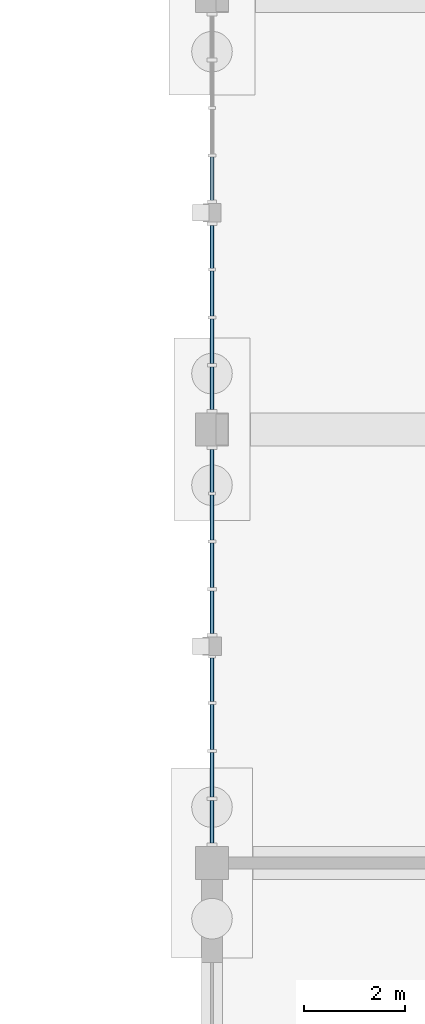
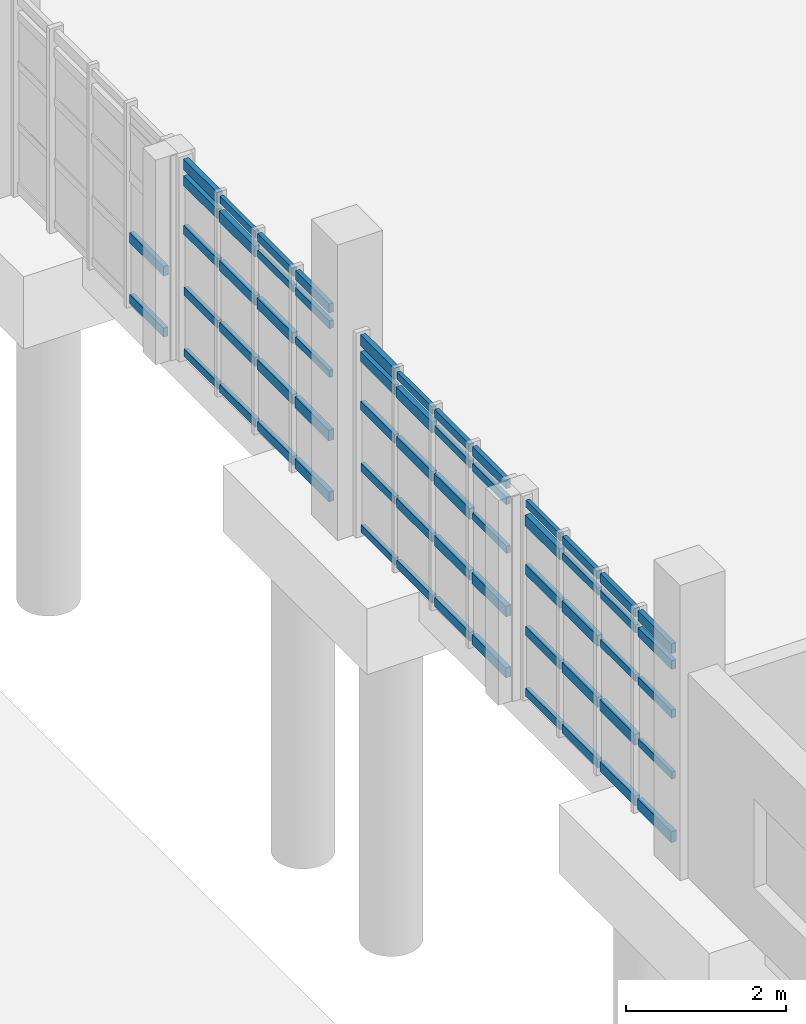
# One storey, part 72 of 125: 62 members, 4 elements without a shape of their own.
"""IFC4 building model written with IfcOpenShell, lengths in metres."""

from ifc_helpers import new_model, si_unit, direction, frame, origin, origin_2d, place, context, subcontext, project, spatial, rectangle, extrude, material, material_profile, profile_set, type_object, element, aggregate, save


model = new_model("IFC4")

# Units and contexts
model_context = context("Model", 3, precision=1e-05, world=origin(), true_north=direction((0.0, 1.0)))
body_context = subcontext(model_context, "Body", "Model", "MODEL_VIEW")
ifc_project = project(units=[si_unit("LENGTHUNIT", "METRE"), si_unit("AREAUNIT", "SQUARE_METRE"), si_unit("VOLUMEUNIT", "CUBIC_METRE"), si_unit("PLANEANGLEUNIT", "RADIAN"), si_unit("MASSUNIT", "GRAM", prefix="KILO")], contexts=[model_context])

# Site, building, storey
site_placement = place(None, origin())
site = spatial("IfcSite", under=ifc_project, at=site_placement, CompositionType="ELEMENT")
building_placement = place(site_placement, origin())
building = spatial("IfcBuilding", under=site, at=building_placement, Name="Serraforn Aerial Cableway Station", CompositionType="ELEMENT")
storey_placement = place(building_placement, frame((0.0, 0.0, 4.5)))
storey = spatial("IfcBuildingStorey", under=building, at=storey_placement, Name="L01", CompositionType="ELEMENT", Elevation=4.5)

# Curtain wall, members
ifc_material_1 = material(Name="Anodised bronze unitised curtain wall")
curtain_wall_type_1 = type_object("IfcCurtainWallType", Name="CW-SYS-11", PredefinedType="USERDEFINED", material=ifc_material_1)
curtain_wall_1_placement = place(storey_placement, origin())
curtain_wall_1 = element("IfcCurtainWall", 1, at=curtain_wall_1_placement, inside=storey, type_object=curtain_wall_type_1, Name="Unitised Curtain Wall CW-EG-L01-W5A", ObjectType="UNITISED CURTAIN WALL", PredefinedType="USERDEFINED")
ifc_material_2 = material(Name="Anodised bronze extruded aluminium", Category="aluminium")
ifc_material_profile_1 = material_profile(ifc_material_2, rectangle(XDim=0.054931640625, YDim=0.110107421875, at=origin_2d()), Name="CW TRANSOM 55x110")
ifc_profile_set_1 = profile_set([ifc_material_profile_1], Name="Anodised bronze extruded aluminium")
member_type_1 = type_object("IfcMemberType", Name="CW-TRN-1", PredefinedType="USERDEFINED", material=ifc_profile_set_1)
member_1_placement = place(storey_placement, frame((144.0, 87.9541015625, 0.124755859375), z_axis=(0.0, -1.0, 0.0), x_axis=(1.0, 0.0, 0.0)))
member_1 = element("IfcMember", 2, at=member_1_placement, type_object=member_type_1, Name="Curtain Wall Transom CW-EG-L01-W5A-T1-1", ObjectType="TRANSOM", PredefinedType="USERDEFINED", context=body_context, shape_type="SweptSolid", body=[
    extrude(rectangle(XDim=0.054931640625, YDim=0.110107421875, at=origin_2d()), origin(), (0.0, 0.0, 1.0), 0.844482421875),
])
member_2_placement = place(storey_placement, frame((144.0, 87.05859375, 2.9951171875), z_axis=(0.0, -1.0, 0.0), x_axis=(1.0, 0.0, 0.0)))
member_2 = element("IfcMember", 3, at=member_2_placement, type_object=member_type_1, Name="Curtain Wall Transom CW-EG-L01-W5A-T2-5", ObjectType="TRANSOM", PredefinedType="USERDEFINED", context=body_context, shape_type="SweptSolid", body=[
    extrude(rectangle(XDim=0.054931640625, YDim=0.110107421875, at=origin_2d()), origin(), (0.0, 0.0, 1.0), 0.8896484375),
])
member_3_placement = place(storey_placement, frame((144.0, 86.113037109375, 2.74560546875), z_axis=(0.0, -1.0, 0.0), x_axis=(1.0, 0.0, 0.0)))
member_3 = element("IfcMember", 4, at=member_3_placement, type_object=member_type_1, Name="Curtain Wall Transom CW-EG-L01-W5A-T3-4", ObjectType="TRANSOM", PredefinedType="USERDEFINED", context=body_context, shape_type="SweptSolid", body=[
    extrude(rectangle(XDim=0.054931640625, YDim=0.110107421875, at=origin_2d()), origin(), (0.0, 0.0, 1.0), 0.884521484375),
])
member_4_placement = place(storey_placement, frame((144.0, 85.16748046875, 1.996826171875), z_axis=(0.0, -1.0, 0.0), x_axis=(1.0, 0.0, 0.0)))
member_4 = element("IfcMember", 5, at=member_4_placement, type_object=member_type_1, Name="Curtain Wall Transom CW-EG-L01-W5A-T4-3", ObjectType="TRANSOM", PredefinedType="USERDEFINED", context=body_context, shape_type="SweptSolid", body=[
    extrude(rectangle(XDim=0.054931640625, YDim=0.110107421875, at=origin_2d()), origin(), (0.0, 0.0, 1.0), 0.844482421875),
])

curtain_wall_type_2 = type_object("IfcCurtainWallType", Name="CW-SYS-12", PredefinedType="USERDEFINED", material=ifc_material_1)
curtain_wall_2_placement = place(storey_placement, origin())
curtain_wall_2 = element("IfcCurtainWall", 6, at=curtain_wall_2_placement, inside=storey, type_object=curtain_wall_type_2, Name="Unitised Curtain Wall CW-EG-L01-W5B", ObjectType="UNITISED CURTAIN WALL", PredefinedType="USERDEFINED")
member_5_placement = place(storey_placement, frame((144.0, 83.842041015625, 2.9951171875), z_axis=(0.0, -1.0, 0.0), x_axis=(1.0, 0.0, 0.0)))
member_5 = element("IfcMember", 7, at=member_5_placement, type_object=member_type_1, Name="Curtain Wall Transom CW-EG-L01-W5B-T1-5", ObjectType="TRANSOM", PredefinedType="USERDEFINED", context=body_context, shape_type="SweptSolid", body=[
    extrude(rectangle(XDim=0.054931640625, YDim=0.110107421875, at=origin_2d()), origin(), (0.0, 0.0, 1.0), 0.862060546875),
])
member_6_placement = place(storey_placement, frame((144.0, 82.924072265625, 2.74560546875), z_axis=(0.0, -1.0, 0.0), x_axis=(1.0, 0.0, 0.0)))
member_6 = element("IfcMember", 8, at=member_6_placement, type_object=member_type_1, Name="Curtain Wall Transom CW-EG-L01-W5B-T2-4", ObjectType="TRANSOM", PredefinedType="USERDEFINED", context=body_context, shape_type="SweptSolid", body=[
    extrude(rectangle(XDim=0.054931640625, YDim=0.110107421875, at=origin_2d()), origin(), (0.0, 0.0, 1.0), 0.884521484375),
])
member_7_placement = place(storey_placement, frame((144.0, 81.978515625, 1.996826171875), z_axis=(0.0, -1.0, 0.0), x_axis=(1.0, 0.0, 0.0)))
member_7 = element("IfcMember", 9, at=member_7_placement, type_object=member_type_1, Name="Curtain Wall Transom CW-EG-L01-W5B-T3-3", ObjectType="TRANSOM", PredefinedType="USERDEFINED", context=body_context, shape_type="SweptSolid", body=[
    extrude(rectangle(XDim=0.054931640625, YDim=0.110107421875, at=origin_2d()), origin(), (0.0, 0.0, 1.0), 0.87939453125),
])
member_8_placement = place(storey_placement, frame((144.0, 81.032958984375, 1.060791015625), z_axis=(0.0, -1.0, 0.0), x_axis=(1.0, 0.0, 0.0)))
member_8 = element("IfcMember", 10, at=member_8_placement, type_object=member_type_1, Name="Curtain Wall Transom CW-EG-L01-W5B-T4-2", ObjectType="TRANSOM", PredefinedType="USERDEFINED", context=body_context, shape_type="SweptSolid", body=[
    extrude(rectangle(XDim=0.054931640625, YDim=0.110107421875, at=origin_2d()), origin(), (0.0, 0.0, 1.0), 0.8369140625),
])

curtain_wall_type_3 = type_object("IfcCurtainWallType", Name="CW-SYS-16", PredefinedType="USERDEFINED", material=ifc_material_1)
curtain_wall_3_placement = place(storey_placement, origin())
curtain_wall_3 = element("IfcCurtainWall", 11, at=curtain_wall_3_placement, inside=storey, type_object=curtain_wall_type_3, Name="Unitised Curtain Wall CW-EG-L01-W6B", ObjectType="UNITISED CURTAIN WALL", PredefinedType="USERDEFINED")
member_9_placement = place(storey_placement, frame((144.0, 92.3720703125, 0.124755859375), z_axis=(0.0, -1.0, 0.0), x_axis=(1.0, 0.0, 0.0)))
member_9 = element("IfcMember", 12, at=member_9_placement, type_object=member_type_1, Name="Curtain Wall Transom CW-EG-L01-W6B-T1-1", ObjectType="TRANSOM", PredefinedType="USERDEFINED", context=body_context, shape_type="SweptSolid", body=[
    extrude(rectangle(XDim=0.054931640625, YDim=0.110107421875, at=origin_2d()), origin(), (0.0, 0.0, 1.0), 0.844482421875),
])
member_10_placement = place(storey_placement, frame((144.0, 91.4765625, 2.9951171875), z_axis=(0.0, -1.0, 0.0), x_axis=(1.0, 0.0, 0.0)))
member_10 = element("IfcMember", 13, at=member_10_placement, type_object=member_type_1, Name="Curtain Wall Transom CW-EG-L01-W6B-T2-5", ObjectType="TRANSOM", PredefinedType="USERDEFINED", context=body_context, shape_type="SweptSolid", body=[
    extrude(rectangle(XDim=0.054931640625, YDim=0.110107421875, at=origin_2d()), origin(), (0.0, 0.0, 1.0), 0.8896484375),
])
member_11_placement = place(storey_placement, frame((144.0, 90.531005859375, 2.74560546875), z_axis=(0.0, -1.0, 0.0), x_axis=(1.0, 0.0, 0.0)))
member_11 = element("IfcMember", 14, at=member_11_placement, type_object=member_type_1, Name="Curtain Wall Transom CW-EG-L01-W6B-T3-4", ObjectType="TRANSOM", PredefinedType="USERDEFINED", context=body_context, shape_type="SweptSolid", body=[
    extrude(rectangle(XDim=0.054931640625, YDim=0.110107421875, at=origin_2d()), origin(), (0.0, 0.0, 1.0), 0.884521484375),
])
member_12_placement = place(storey_placement, frame((144.0, 89.58544921875, 1.996826171875), z_axis=(0.0, -1.0, 0.0), x_axis=(1.0, 0.0, 0.0)))
member_12 = element("IfcMember", 15, at=member_12_placement, type_object=member_type_1, Name="Curtain Wall Transom CW-EG-L01-W6B-T4-3", ObjectType="TRANSOM", PredefinedType="USERDEFINED", context=body_context, shape_type="SweptSolid", body=[
    extrude(rectangle(XDim=0.054931640625, YDim=0.110107421875, at=origin_2d()), origin(), (0.0, 0.0, 1.0), 0.844482421875),
])

# Member
ifc_material_profile_2 = material_profile(ifc_material_2, rectangle(XDim=0.06005859375, YDim=0.1201171875, at=origin_2d()), Name="CW TRANSOM 60x120")
ifc_profile_set_2 = profile_set([ifc_material_profile_2], Name="Anodised bronze extruded aluminium")
member_type_2 = type_object("IfcMemberType", Name="CW-TRN-2", PredefinedType="USERDEFINED", material=ifc_profile_set_2)
member_13_placement = place(storey_placement, frame((144.0, 87.9541015625, 1.060791015625), z_axis=(0.0, -1.0, 0.0), x_axis=(1.0, 0.0, 0.0)))
member_13 = element("IfcMember", 16, at=member_13_placement, type_object=member_type_2, Name="Curtain Wall Transom CW-EG-L01-W5A-T1-2", ObjectType="TRANSOM", PredefinedType="USERDEFINED", context=body_context, shape_type="SweptSolid", body=[
    extrude(rectangle(XDim=0.06005859375, YDim=0.1201171875, at=origin_2d()), origin(), (0.0, 0.0, 1.0), 0.844482421875),
])

member_14_placement = place(storey_placement, frame((144.0, 87.05859375, 0.124755859375), z_axis=(0.0, -1.0, 0.0), x_axis=(1.0, 0.0, 0.0)))
member_14 = element("IfcMember", 17, at=member_14_placement, type_object=member_type_2, Name="Curtain Wall Transom CW-EG-L01-W5A-T2-1", ObjectType="TRANSOM", PredefinedType="USERDEFINED", context=body_context, shape_type="SweptSolid", body=[
    extrude(rectangle(XDim=0.06005859375, YDim=0.1201171875, at=origin_2d()), origin(), (0.0, 0.0, 1.0), 0.8896484375),
])

member_15_placement = place(storey_placement, frame((144.0, 86.113037109375, 2.9951171875), z_axis=(0.0, -1.0, 0.0), x_axis=(1.0, 0.0, 0.0)))
member_15 = element("IfcMember", 18, at=member_15_placement, type_object=member_type_2, Name="Curtain Wall Transom CW-EG-L01-W5A-T3-5", ObjectType="TRANSOM", PredefinedType="USERDEFINED", context=body_context, shape_type="SweptSolid", body=[
    extrude(rectangle(XDim=0.06005859375, YDim=0.1201171875, at=origin_2d()), origin(), (0.0, 0.0, 1.0), 0.884521484375),
])

member_16_placement = place(storey_placement, frame((144.0, 85.16748046875, 2.74560546875), z_axis=(0.0, -1.0, 0.0), x_axis=(1.0, 0.0, 0.0)))
member_16 = element("IfcMember", 19, at=member_16_placement, type_object=member_type_2, Name="Curtain Wall Transom CW-EG-L01-W5A-T4-4", ObjectType="TRANSOM", PredefinedType="USERDEFINED", context=body_context, shape_type="SweptSolid", body=[
    extrude(rectangle(XDim=0.06005859375, YDim=0.1201171875, at=origin_2d()), origin(), (0.0, 0.0, 1.0), 0.844482421875),
])

member_17_placement = place(storey_placement, frame((144.0, 83.842041015625, 0.124755859375), z_axis=(0.0, -1.0, 0.0), x_axis=(1.0, 0.0, 0.0)))
member_17 = element("IfcMember", 20, at=member_17_placement, type_object=member_type_2, Name="Curtain Wall Transom CW-EG-L01-W5B-T1-1", ObjectType="TRANSOM", PredefinedType="USERDEFINED", context=body_context, shape_type="SweptSolid", body=[
    extrude(rectangle(XDim=0.06005859375, YDim=0.1201171875, at=origin_2d()), origin(), (0.0, 0.0, 1.0), 0.862060546875),
])

member_18_placement = place(storey_placement, frame((144.0, 82.924072265625, 2.9951171875), z_axis=(0.0, -1.0, 0.0), x_axis=(1.0, 0.0, 0.0)))
member_18 = element("IfcMember", 21, at=member_18_placement, type_object=member_type_2, Name="Curtain Wall Transom CW-EG-L01-W5B-T2-5", ObjectType="TRANSOM", PredefinedType="USERDEFINED", context=body_context, shape_type="SweptSolid", body=[
    extrude(rectangle(XDim=0.06005859375, YDim=0.1201171875, at=origin_2d()), origin(), (0.0, 0.0, 1.0), 0.884521484375),
])

member_19_placement = place(storey_placement, frame((144.0, 81.978515625, 2.74560546875), z_axis=(0.0, -1.0, 0.0), x_axis=(1.0, 0.0, 0.0)))
member_19 = element("IfcMember", 22, at=member_19_placement, type_object=member_type_2, Name="Curtain Wall Transom CW-EG-L01-W5B-T3-4", ObjectType="TRANSOM", PredefinedType="USERDEFINED", context=body_context, shape_type="SweptSolid", body=[
    extrude(rectangle(XDim=0.06005859375, YDim=0.1201171875, at=origin_2d()), origin(), (0.0, 0.0, 1.0), 0.87939453125),
])

member_20_placement = place(storey_placement, frame((144.0, 81.032958984375, 1.996826171875), z_axis=(0.0, -1.0, 0.0), x_axis=(1.0, 0.0, 0.0)))
member_20 = element("IfcMember", 23, at=member_20_placement, type_object=member_type_2, Name="Curtain Wall Transom CW-EG-L01-W5B-T4-3", ObjectType="TRANSOM", PredefinedType="USERDEFINED", context=body_context, shape_type="SweptSolid", body=[
    extrude(rectangle(XDim=0.06005859375, YDim=0.1201171875, at=origin_2d()), origin(), (0.0, 0.0, 1.0), 0.8369140625),
])

member_21_placement = place(storey_placement, frame((144.0, 92.3720703125, 1.060791015625), z_axis=(0.0, -1.0, 0.0), x_axis=(1.0, 0.0, 0.0)))
member_21 = element("IfcMember", 24, at=member_21_placement, type_object=member_type_2, Name="Curtain Wall Transom CW-EG-L01-W6B-T1-2", ObjectType="TRANSOM", PredefinedType="USERDEFINED", context=body_context, shape_type="SweptSolid", body=[
    extrude(rectangle(XDim=0.06005859375, YDim=0.1201171875, at=origin_2d()), origin(), (0.0, 0.0, 1.0), 0.844482421875),
])

member_22_placement = place(storey_placement, frame((144.0, 91.4765625, 0.124755859375), z_axis=(0.0, -1.0, 0.0), x_axis=(1.0, 0.0, 0.0)))
member_22 = element("IfcMember", 25, at=member_22_placement, type_object=member_type_2, Name="Curtain Wall Transom CW-EG-L01-W6B-T2-1", ObjectType="TRANSOM", PredefinedType="USERDEFINED", context=body_context, shape_type="SweptSolid", body=[
    extrude(rectangle(XDim=0.06005859375, YDim=0.1201171875, at=origin_2d()), origin(), (0.0, 0.0, 1.0), 0.8896484375),
])

member_23_placement = place(storey_placement, frame((144.0, 90.531005859375, 2.9951171875), z_axis=(0.0, -1.0, 0.0), x_axis=(1.0, 0.0, 0.0)))
member_23 = element("IfcMember", 26, at=member_23_placement, type_object=member_type_2, Name="Curtain Wall Transom CW-EG-L01-W6B-T3-5", ObjectType="TRANSOM", PredefinedType="USERDEFINED", context=body_context, shape_type="SweptSolid", body=[
    extrude(rectangle(XDim=0.06005859375, YDim=0.1201171875, at=origin_2d()), origin(), (0.0, 0.0, 1.0), 0.884521484375),
])

member_24_placement = place(storey_placement, frame((144.0, 89.58544921875, 2.74560546875), z_axis=(0.0, -1.0, 0.0), x_axis=(1.0, 0.0, 0.0)))
member_24 = element("IfcMember", 27, at=member_24_placement, type_object=member_type_2, Name="Curtain Wall Transom CW-EG-L01-W6B-T4-4", ObjectType="TRANSOM", PredefinedType="USERDEFINED", context=body_context, shape_type="SweptSolid", body=[
    extrude(rectangle(XDim=0.06005859375, YDim=0.1201171875, at=origin_2d()), origin(), (0.0, 0.0, 1.0), 0.844482421875),
])

ifc_material_profile_3 = material_profile(ifc_material_2, rectangle(XDim=0.06494140625, YDim=0.135009765625, at=origin_2d()), Name="CW TRANSOM 65x135")
ifc_profile_set_3 = profile_set([ifc_material_profile_3], Name="Anodised bronze extruded aluminium")
member_type_3 = type_object("IfcMemberType", Name="CW-TRN-3", PredefinedType="USERDEFINED", material=ifc_profile_set_3)
member_25_placement = place(storey_placement, frame((144.0, 87.9541015625, 1.996826171875), z_axis=(0.0, -1.0, 0.0), x_axis=(1.0, 0.0, 0.0)))
member_25 = element("IfcMember", 28, at=member_25_placement, type_object=member_type_3, Name="Curtain Wall Transom CW-EG-L01-W5A-T1-3", ObjectType="TRANSOM", PredefinedType="USERDEFINED", context=body_context, shape_type="SweptSolid", body=[
    extrude(rectangle(XDim=0.06494140625, YDim=0.135009765625, at=origin_2d()), origin(), (0.0, 0.0, 1.0), 0.844482421875),
])

member_26_placement = place(storey_placement, frame((144.0, 87.05859375, 1.060791015625), z_axis=(0.0, -1.0, 0.0), x_axis=(1.0, 0.0, 0.0)))
member_26 = element("IfcMember", 29, at=member_26_placement, type_object=member_type_3, Name="Curtain Wall Transom CW-EG-L01-W5A-T2-2", ObjectType="TRANSOM", PredefinedType="USERDEFINED", context=body_context, shape_type="SweptSolid", body=[
    extrude(rectangle(XDim=0.06494140625, YDim=0.135009765625, at=origin_2d()), origin(), (0.0, 0.0, 1.0), 0.8896484375),
])

member_27_placement = place(storey_placement, frame((144.0, 86.113037109375, 0.124755859375), z_axis=(0.0, -1.0, 0.0), x_axis=(1.0, 0.0, 0.0)))
member_27 = element("IfcMember", 30, at=member_27_placement, type_object=member_type_3, Name="Curtain Wall Transom CW-EG-L01-W5A-T3-1", ObjectType="TRANSOM", PredefinedType="USERDEFINED", context=body_context, shape_type="SweptSolid", body=[
    extrude(rectangle(XDim=0.06494140625, YDim=0.135009765625, at=origin_2d()), origin(), (0.0, 0.0, 1.0), 0.884521484375),
])

member_28_placement = place(storey_placement, frame((144.0, 85.16748046875, 2.9951171875), z_axis=(0.0, -1.0, 0.0), x_axis=(1.0, 0.0, 0.0)))
member_28 = element("IfcMember", 31, at=member_28_placement, type_object=member_type_3, Name="Curtain Wall Transom CW-EG-L01-W5A-T4-5", ObjectType="TRANSOM", PredefinedType="USERDEFINED", context=body_context, shape_type="SweptSolid", body=[
    extrude(rectangle(XDim=0.06494140625, YDim=0.135009765625, at=origin_2d()), origin(), (0.0, 0.0, 1.0), 0.844482421875),
])

member_29_placement = place(storey_placement, frame((144.0, 83.842041015625, 1.060791015625), z_axis=(0.0, -1.0, 0.0), x_axis=(1.0, 0.0, 0.0)))
member_29 = element("IfcMember", 32, at=member_29_placement, type_object=member_type_3, Name="Curtain Wall Transom CW-EG-L01-W5B-T1-2", ObjectType="TRANSOM", PredefinedType="USERDEFINED", context=body_context, shape_type="SweptSolid", body=[
    extrude(rectangle(XDim=0.06494140625, YDim=0.135009765625, at=origin_2d()), origin(), (0.0, 0.0, 1.0), 0.862060546875),
])

member_30_placement = place(storey_placement, frame((144.0, 82.924072265625, 0.124755859375), z_axis=(0.0, -1.0, 0.0), x_axis=(1.0, 0.0, 0.0)))
member_30 = element("IfcMember", 33, at=member_30_placement, type_object=member_type_3, Name="Curtain Wall Transom CW-EG-L01-W5B-T2-1", ObjectType="TRANSOM", PredefinedType="USERDEFINED", context=body_context, shape_type="SweptSolid", body=[
    extrude(rectangle(XDim=0.06494140625, YDim=0.135009765625, at=origin_2d()), origin(), (0.0, 0.0, 1.0), 0.884521484375),
])

member_31_placement = place(storey_placement, frame((144.0, 81.978515625, 2.9951171875), z_axis=(0.0, -1.0, 0.0), x_axis=(1.0, 0.0, 0.0)))
member_31 = element("IfcMember", 34, at=member_31_placement, type_object=member_type_3, Name="Curtain Wall Transom CW-EG-L01-W5B-T3-5", ObjectType="TRANSOM", PredefinedType="USERDEFINED", context=body_context, shape_type="SweptSolid", body=[
    extrude(rectangle(XDim=0.06494140625, YDim=0.135009765625, at=origin_2d()), origin(), (0.0, 0.0, 1.0), 0.87939453125),
])

member_32_placement = place(storey_placement, frame((144.0, 81.032958984375, 2.74560546875), z_axis=(0.0, -1.0, 0.0), x_axis=(1.0, 0.0, 0.0)))
member_32 = element("IfcMember", 35, at=member_32_placement, type_object=member_type_3, Name="Curtain Wall Transom CW-EG-L01-W5B-T4-4", ObjectType="TRANSOM", PredefinedType="USERDEFINED", context=body_context, shape_type="SweptSolid", body=[
    extrude(rectangle(XDim=0.06494140625, YDim=0.135009765625, at=origin_2d()), origin(), (0.0, 0.0, 1.0), 0.8369140625),
])

# Curtain wall, member
curtain_wall_type_4 = type_object("IfcCurtainWallType", Name="CW-SYS-15", PredefinedType="USERDEFINED", material=ifc_material_1)
curtain_wall_4_placement = place(storey_placement, origin())
curtain_wall_4 = element("IfcCurtainWall", 36, at=curtain_wall_4_placement, inside=storey, type_object=curtain_wall_type_4, Name="Unitised Curtain Wall CW-EG-L01-W6A", ObjectType="UNITISED CURTAIN WALL", PredefinedType="USERDEFINED")
member_33_placement = place(storey_placement, frame((144.0, 93.719970703125, 0.124755859375), z_axis=(0.0, -1.0, 0.0), x_axis=(1.0, 0.0, 0.0)))
member_33 = element("IfcMember", 37, at=member_33_placement, type_object=member_type_3, Name="Curtain Wall Transom CW-EG-L01-W6A-T4-1", ObjectType="TRANSOM", PredefinedType="USERDEFINED", context=body_context, shape_type="SweptSolid", body=[
    extrude(rectangle(XDim=0.06494140625, YDim=0.135009765625, at=origin_2d()), origin(), (0.0, 0.0, 1.0), 0.85205078125),
])

# Member
member_34_placement = place(storey_placement, frame((144.0, 92.3720703125, 1.996826171875), z_axis=(0.0, -1.0, 0.0), x_axis=(1.0, 0.0, 0.0)))
member_34 = element("IfcMember", 38, at=member_34_placement, type_object=member_type_3, Name="Curtain Wall Transom CW-EG-L01-W6B-T1-3", ObjectType="TRANSOM", PredefinedType="USERDEFINED", context=body_context, shape_type="SweptSolid", body=[
    extrude(rectangle(XDim=0.06494140625, YDim=0.135009765625, at=origin_2d()), origin(), (0.0, 0.0, 1.0), 0.844482421875),
])

member_35_placement = place(storey_placement, frame((144.0, 91.4765625, 1.060791015625), z_axis=(0.0, -1.0, 0.0), x_axis=(1.0, 0.0, 0.0)))
member_35 = element("IfcMember", 39, at=member_35_placement, type_object=member_type_3, Name="Curtain Wall Transom CW-EG-L01-W6B-T2-2", ObjectType="TRANSOM", PredefinedType="USERDEFINED", context=body_context, shape_type="SweptSolid", body=[
    extrude(rectangle(XDim=0.06494140625, YDim=0.135009765625, at=origin_2d()), origin(), (0.0, 0.0, 1.0), 0.8896484375),
])

member_36_placement = place(storey_placement, frame((144.0, 90.531005859375, 0.124755859375), z_axis=(0.0, -1.0, 0.0), x_axis=(1.0, 0.0, 0.0)))
member_36 = element("IfcMember", 40, at=member_36_placement, type_object=member_type_3, Name="Curtain Wall Transom CW-EG-L01-W6B-T3-1", ObjectType="TRANSOM", PredefinedType="USERDEFINED", context=body_context, shape_type="SweptSolid", body=[
    extrude(rectangle(XDim=0.06494140625, YDim=0.135009765625, at=origin_2d()), origin(), (0.0, 0.0, 1.0), 0.884521484375),
])

member_37_placement = place(storey_placement, frame((144.0, 89.58544921875, 2.9951171875), z_axis=(0.0, -1.0, 0.0), x_axis=(1.0, 0.0, 0.0)))
member_37 = element("IfcMember", 41, at=member_37_placement, type_object=member_type_3, Name="Curtain Wall Transom CW-EG-L01-W6B-T4-5", ObjectType="TRANSOM", PredefinedType="USERDEFINED", context=body_context, shape_type="SweptSolid", body=[
    extrude(rectangle(XDim=0.06494140625, YDim=0.135009765625, at=origin_2d()), origin(), (0.0, 0.0, 1.0), 0.844482421875),
])

ifc_material_profile_4 = material_profile(ifc_material_2, rectangle(XDim=0.070068359375, YDim=0.14990234375, at=origin_2d()), Name="CW TRANSOM 70x150")
ifc_profile_set_4 = profile_set([ifc_material_profile_4], Name="Anodised bronze extruded aluminium")
member_type_4 = type_object("IfcMemberType", Name="CW-TRN-4", PredefinedType="USERDEFINED", material=ifc_profile_set_4)
member_38_placement = place(storey_placement, frame((144.0, 87.9541015625, 2.74560546875), z_axis=(0.0, -1.0, 0.0), x_axis=(1.0, 0.0, 0.0)))
member_38 = element("IfcMember", 42, at=member_38_placement, type_object=member_type_4, Name="Curtain Wall Transom CW-EG-L01-W5A-T1-4", ObjectType="TRANSOM", PredefinedType="USERDEFINED", context=body_context, shape_type="SweptSolid", body=[
    extrude(rectangle(XDim=0.070068359375, YDim=0.14990234375, at=origin_2d()), origin(), (0.0, 0.0, 1.0), 0.844482421875),
])

member_39_placement = place(storey_placement, frame((144.0, 87.05859375, 1.996826171875), z_axis=(0.0, -1.0, 0.0), x_axis=(1.0, 0.0, 0.0)))
member_39 = element("IfcMember", 43, at=member_39_placement, type_object=member_type_4, Name="Curtain Wall Transom CW-EG-L01-W5A-T2-3", ObjectType="TRANSOM", PredefinedType="USERDEFINED", context=body_context, shape_type="SweptSolid", body=[
    extrude(rectangle(XDim=0.070068359375, YDim=0.14990234375, at=origin_2d()), origin(), (0.0, 0.0, 1.0), 0.8896484375),
])

member_40_placement = place(storey_placement, frame((144.0, 86.113037109375, 1.060791015625), z_axis=(0.0, -1.0, 0.0), x_axis=(1.0, 0.0, 0.0)))
member_40 = element("IfcMember", 44, at=member_40_placement, type_object=member_type_4, Name="Curtain Wall Transom CW-EG-L01-W5A-T3-2", ObjectType="TRANSOM", PredefinedType="USERDEFINED", context=body_context, shape_type="SweptSolid", body=[
    extrude(rectangle(XDim=0.070068359375, YDim=0.14990234375, at=origin_2d()), origin(), (0.0, 0.0, 1.0), 0.884521484375),
])

member_41_placement = place(storey_placement, frame((144.0, 85.16748046875, 0.124755859375), z_axis=(0.0, -1.0, 0.0), x_axis=(1.0, 0.0, 0.0)))
member_41 = element("IfcMember", 45, at=member_41_placement, type_object=member_type_4, Name="Curtain Wall Transom CW-EG-L01-W5A-T4-1", ObjectType="TRANSOM", PredefinedType="USERDEFINED", context=body_context, shape_type="SweptSolid", body=[
    extrude(rectangle(XDim=0.070068359375, YDim=0.14990234375, at=origin_2d()), origin(), (0.0, 0.0, 1.0), 0.844482421875),
])

member_42_placement = place(storey_placement, frame((144.0, 83.842041015625, 1.996826171875), z_axis=(0.0, -1.0, 0.0), x_axis=(1.0, 0.0, 0.0)))
member_42 = element("IfcMember", 46, at=member_42_placement, type_object=member_type_4, Name="Curtain Wall Transom CW-EG-L01-W5B-T1-3", ObjectType="TRANSOM", PredefinedType="USERDEFINED", context=body_context, shape_type="SweptSolid", body=[
    extrude(rectangle(XDim=0.070068359375, YDim=0.14990234375, at=origin_2d()), origin(), (0.0, 0.0, 1.0), 0.862060546875),
])

member_43_placement = place(storey_placement, frame((144.0, 82.924072265625, 1.060791015625), z_axis=(0.0, -1.0, 0.0), x_axis=(1.0, 0.0, 0.0)))
member_43 = element("IfcMember", 47, at=member_43_placement, type_object=member_type_4, Name="Curtain Wall Transom CW-EG-L01-W5B-T2-2", ObjectType="TRANSOM", PredefinedType="USERDEFINED", context=body_context, shape_type="SweptSolid", body=[
    extrude(rectangle(XDim=0.070068359375, YDim=0.14990234375, at=origin_2d()), origin(), (0.0, 0.0, 1.0), 0.884521484375),
])

member_44_placement = place(storey_placement, frame((144.0, 81.978515625, 0.124755859375), z_axis=(0.0, -1.0, 0.0), x_axis=(1.0, 0.0, 0.0)))
member_44 = element("IfcMember", 48, at=member_44_placement, type_object=member_type_4, Name="Curtain Wall Transom CW-EG-L01-W5B-T3-1", ObjectType="TRANSOM", PredefinedType="USERDEFINED", context=body_context, shape_type="SweptSolid", body=[
    extrude(rectangle(XDim=0.070068359375, YDim=0.14990234375, at=origin_2d()), origin(), (0.0, 0.0, 1.0), 0.87939453125),
])

member_45_placement = place(storey_placement, frame((144.0, 81.032958984375, 2.9951171875), z_axis=(0.0, -1.0, 0.0), x_axis=(1.0, 0.0, 0.0)))
member_45 = element("IfcMember", 49, at=member_45_placement, type_object=member_type_4, Name="Curtain Wall Transom CW-EG-L01-W5B-T4-5", ObjectType="TRANSOM", PredefinedType="USERDEFINED", context=body_context, shape_type="SweptSolid", body=[
    extrude(rectangle(XDim=0.070068359375, YDim=0.14990234375, at=origin_2d()), origin(), (0.0, 0.0, 1.0), 0.8369140625),
])

member_46_placement = place(storey_placement, frame((144.0, 93.719970703125, 1.060791015625), z_axis=(0.0, -1.0, 0.0), x_axis=(1.0, 0.0, 0.0)))
member_46 = element("IfcMember", 50, at=member_46_placement, type_object=member_type_4, Name="Curtain Wall Transom CW-EG-L01-W6A-T4-2", ObjectType="TRANSOM", PredefinedType="USERDEFINED", context=body_context, shape_type="SweptSolid", body=[
    extrude(rectangle(XDim=0.070068359375, YDim=0.14990234375, at=origin_2d()), origin(), (0.0, 0.0, 1.0), 0.85205078125),
])

aggregate(curtain_wall_4, [member_33, member_46])

member_47_placement = place(storey_placement, frame((144.0, 92.3720703125, 2.74560546875), z_axis=(0.0, -1.0, 0.0), x_axis=(1.0, 0.0, 0.0)))
member_47 = element("IfcMember", 51, at=member_47_placement, type_object=member_type_4, Name="Curtain Wall Transom CW-EG-L01-W6B-T1-4", ObjectType="TRANSOM", PredefinedType="USERDEFINED", context=body_context, shape_type="SweptSolid", body=[
    extrude(rectangle(XDim=0.070068359375, YDim=0.14990234375, at=origin_2d()), origin(), (0.0, 0.0, 1.0), 0.844482421875),
])

member_48_placement = place(storey_placement, frame((144.0, 91.4765625, 1.996826171875), z_axis=(0.0, -1.0, 0.0), x_axis=(1.0, 0.0, 0.0)))
member_48 = element("IfcMember", 52, at=member_48_placement, type_object=member_type_4, Name="Curtain Wall Transom CW-EG-L01-W6B-T2-3", ObjectType="TRANSOM", PredefinedType="USERDEFINED", context=body_context, shape_type="SweptSolid", body=[
    extrude(rectangle(XDim=0.070068359375, YDim=0.14990234375, at=origin_2d()), origin(), (0.0, 0.0, 1.0), 0.8896484375),
])

member_49_placement = place(storey_placement, frame((144.0, 90.531005859375, 1.060791015625), z_axis=(0.0, -1.0, 0.0), x_axis=(1.0, 0.0, 0.0)))
member_49 = element("IfcMember", 53, at=member_49_placement, type_object=member_type_4, Name="Curtain Wall Transom CW-EG-L01-W6B-T3-2", ObjectType="TRANSOM", PredefinedType="USERDEFINED", context=body_context, shape_type="SweptSolid", body=[
    extrude(rectangle(XDim=0.070068359375, YDim=0.14990234375, at=origin_2d()), origin(), (0.0, 0.0, 1.0), 0.884521484375),
])

member_50_placement = place(storey_placement, frame((144.0, 89.58544921875, 0.124755859375), z_axis=(0.0, -1.0, 0.0), x_axis=(1.0, 0.0, 0.0)))
member_50 = element("IfcMember", 54, at=member_50_placement, type_object=member_type_4, Name="Curtain Wall Transom CW-EG-L01-W6B-T4-1", ObjectType="TRANSOM", PredefinedType="USERDEFINED", context=body_context, shape_type="SweptSolid", body=[
    extrude(rectangle(XDim=0.070068359375, YDim=0.14990234375, at=origin_2d()), origin(), (0.0, 0.0, 1.0), 0.844482421875),
])

ifc_material_profile_5 = material_profile(ifc_material_2, rectangle(XDim=0.074951171875, YDim=0.1650390625, at=origin_2d()), Name="CW TRANSOM 75x165")
ifc_profile_set_5 = profile_set([ifc_material_profile_5], Name="Anodised bronze extruded aluminium")
member_type_5 = type_object("IfcMemberType", Name="CW-TRN-5", PredefinedType="USERDEFINED", material=ifc_profile_set_5)
member_51_placement = place(storey_placement, frame((144.0, 87.9541015625, 2.9951171875), z_axis=(0.0, -1.0, 0.0), x_axis=(1.0, 0.0, 0.0)))
member_51 = element("IfcMember", 55, at=member_51_placement, type_object=member_type_5, Name="Curtain Wall Transom CW-EG-L01-W5A-T1-5", ObjectType="TRANSOM", PredefinedType="USERDEFINED", context=body_context, shape_type="SweptSolid", body=[
    extrude(rectangle(XDim=0.074951171875, YDim=0.1650390625, at=origin_2d()), origin(), (0.0, 0.0, 1.0), 0.844482421875),
])

member_52_placement = place(storey_placement, frame((144.0, 87.05859375, 2.74560546875), z_axis=(0.0, -1.0, 0.0), x_axis=(1.0, 0.0, 0.0)))
member_52 = element("IfcMember", 56, at=member_52_placement, type_object=member_type_5, Name="Curtain Wall Transom CW-EG-L01-W5A-T2-4", ObjectType="TRANSOM", PredefinedType="USERDEFINED", context=body_context, shape_type="SweptSolid", body=[
    extrude(rectangle(XDim=0.074951171875, YDim=0.1650390625, at=origin_2d()), origin(), (0.0, 0.0, 1.0), 0.8896484375),
])

member_53_placement = place(storey_placement, frame((144.0, 86.113037109375, 1.996826171875), z_axis=(0.0, -1.0, 0.0), x_axis=(1.0, 0.0, 0.0)))
member_53 = element("IfcMember", 57, at=member_53_placement, type_object=member_type_5, Name="Curtain Wall Transom CW-EG-L01-W5A-T3-3", ObjectType="TRANSOM", PredefinedType="USERDEFINED", context=body_context, shape_type="SweptSolid", body=[
    extrude(rectangle(XDim=0.074951171875, YDim=0.1650390625, at=origin_2d()), origin(), (0.0, 0.0, 1.0), 0.884521484375),
])

member_54_placement = place(storey_placement, frame((144.0, 85.16748046875, 1.060791015625), z_axis=(0.0, -1.0, 0.0), x_axis=(1.0, 0.0, 0.0)))
member_54 = element("IfcMember", 58, at=member_54_placement, type_object=member_type_5, Name="Curtain Wall Transom CW-EG-L01-W5A-T4-2", ObjectType="TRANSOM", PredefinedType="USERDEFINED", context=body_context, shape_type="SweptSolid", body=[
    extrude(rectangle(XDim=0.074951171875, YDim=0.1650390625, at=origin_2d()), origin(), (0.0, 0.0, 1.0), 0.844482421875),
])

aggregate(curtain_wall_1, [member_1, member_13, member_25, member_38, member_51, member_14, member_26, member_39, member_52, member_2, member_27, member_40, member_53, member_3, member_15, member_41, member_54, member_4, member_16, member_28])

member_55_placement = place(storey_placement, frame((144.0, 83.842041015625, 2.74560546875), z_axis=(0.0, -1.0, 0.0), x_axis=(1.0, 0.0, 0.0)))
member_55 = element("IfcMember", 59, at=member_55_placement, type_object=member_type_5, Name="Curtain Wall Transom CW-EG-L01-W5B-T1-4", ObjectType="TRANSOM", PredefinedType="USERDEFINED", context=body_context, shape_type="SweptSolid", body=[
    extrude(rectangle(XDim=0.074951171875, YDim=0.1650390625, at=origin_2d()), origin(), (0.0, 0.0, 1.0), 0.862060546875),
])

member_56_placement = place(storey_placement, frame((144.0, 82.924072265625, 1.996826171875), z_axis=(0.0, -1.0, 0.0), x_axis=(1.0, 0.0, 0.0)))
member_56 = element("IfcMember", 60, at=member_56_placement, type_object=member_type_5, Name="Curtain Wall Transom CW-EG-L01-W5B-T2-3", ObjectType="TRANSOM", PredefinedType="USERDEFINED", context=body_context, shape_type="SweptSolid", body=[
    extrude(rectangle(XDim=0.074951171875, YDim=0.1650390625, at=origin_2d()), origin(), (0.0, 0.0, 1.0), 0.884521484375),
])

member_57_placement = place(storey_placement, frame((144.0, 81.978515625, 1.060791015625), z_axis=(0.0, -1.0, 0.0), x_axis=(1.0, 0.0, 0.0)))
member_57 = element("IfcMember", 61, at=member_57_placement, type_object=member_type_5, Name="Curtain Wall Transom CW-EG-L01-W5B-T3-2", ObjectType="TRANSOM", PredefinedType="USERDEFINED", context=body_context, shape_type="SweptSolid", body=[
    extrude(rectangle(XDim=0.074951171875, YDim=0.1650390625, at=origin_2d()), origin(), (0.0, 0.0, 1.0), 0.87939453125),
])

member_58_placement = place(storey_placement, frame((144.0, 81.032958984375, 0.124755859375), z_axis=(0.0, -1.0, 0.0), x_axis=(1.0, 0.0, 0.0)))
member_58 = element("IfcMember", 62, at=member_58_placement, type_object=member_type_5, Name="Curtain Wall Transom CW-EG-L01-W5B-T4-1", ObjectType="TRANSOM", PredefinedType="USERDEFINED", context=body_context, shape_type="SweptSolid", body=[
    extrude(rectangle(XDim=0.074951171875, YDim=0.1650390625, at=origin_2d()), origin(), (0.0, 0.0, 1.0), 0.8369140625),
])

aggregate(curtain_wall_2, [member_17, member_29, member_42, member_55, member_5, member_30, member_43, member_56, member_6, member_18, member_44, member_57, member_7, member_19, member_31, member_58, member_8, member_20, member_32, member_45])

member_59_placement = place(storey_placement, frame((144.0, 92.3720703125, 2.9951171875), z_axis=(0.0, -1.0, 0.0), x_axis=(1.0, 0.0, 0.0)))
member_59 = element("IfcMember", 63, at=member_59_placement, type_object=member_type_5, Name="Curtain Wall Transom CW-EG-L01-W6B-T1-5", ObjectType="TRANSOM", PredefinedType="USERDEFINED", context=body_context, shape_type="SweptSolid", body=[
    extrude(rectangle(XDim=0.074951171875, YDim=0.1650390625, at=origin_2d()), origin(), (0.0, 0.0, 1.0), 0.844482421875),
])

member_60_placement = place(storey_placement, frame((144.0, 91.4765625, 2.74560546875), z_axis=(0.0, -1.0, 0.0), x_axis=(1.0, 0.0, 0.0)))
member_60 = element("IfcMember", 64, at=member_60_placement, type_object=member_type_5, Name="Curtain Wall Transom CW-EG-L01-W6B-T2-4", ObjectType="TRANSOM", PredefinedType="USERDEFINED", context=body_context, shape_type="SweptSolid", body=[
    extrude(rectangle(XDim=0.074951171875, YDim=0.1650390625, at=origin_2d()), origin(), (0.0, 0.0, 1.0), 0.8896484375),
])

member_61_placement = place(storey_placement, frame((144.0, 90.531005859375, 1.996826171875), z_axis=(0.0, -1.0, 0.0), x_axis=(1.0, 0.0, 0.0)))
member_61 = element("IfcMember", 65, at=member_61_placement, type_object=member_type_5, Name="Curtain Wall Transom CW-EG-L01-W6B-T3-3", ObjectType="TRANSOM", PredefinedType="USERDEFINED", context=body_context, shape_type="SweptSolid", body=[
    extrude(rectangle(XDim=0.074951171875, YDim=0.1650390625, at=origin_2d()), origin(), (0.0, 0.0, 1.0), 0.884521484375),
])

member_62_placement = place(storey_placement, frame((144.0, 89.58544921875, 1.060791015625), z_axis=(0.0, -1.0, 0.0), x_axis=(1.0, 0.0, 0.0)))
member_62 = element("IfcMember", 66, at=member_62_placement, type_object=member_type_5, Name="Curtain Wall Transom CW-EG-L01-W6B-T4-2", ObjectType="TRANSOM", PredefinedType="USERDEFINED", context=body_context, shape_type="SweptSolid", body=[
    extrude(rectangle(XDim=0.074951171875, YDim=0.1650390625, at=origin_2d()), origin(), (0.0, 0.0, 1.0), 0.844482421875),
])

aggregate(curtain_wall_3, [member_9, member_21, member_34, member_47, member_59, member_22, member_35, member_48, member_60, member_10, member_36, member_49, member_61, member_11, member_23, member_50, member_62, member_12, member_24, member_37])

save(model, "model.ifc")
